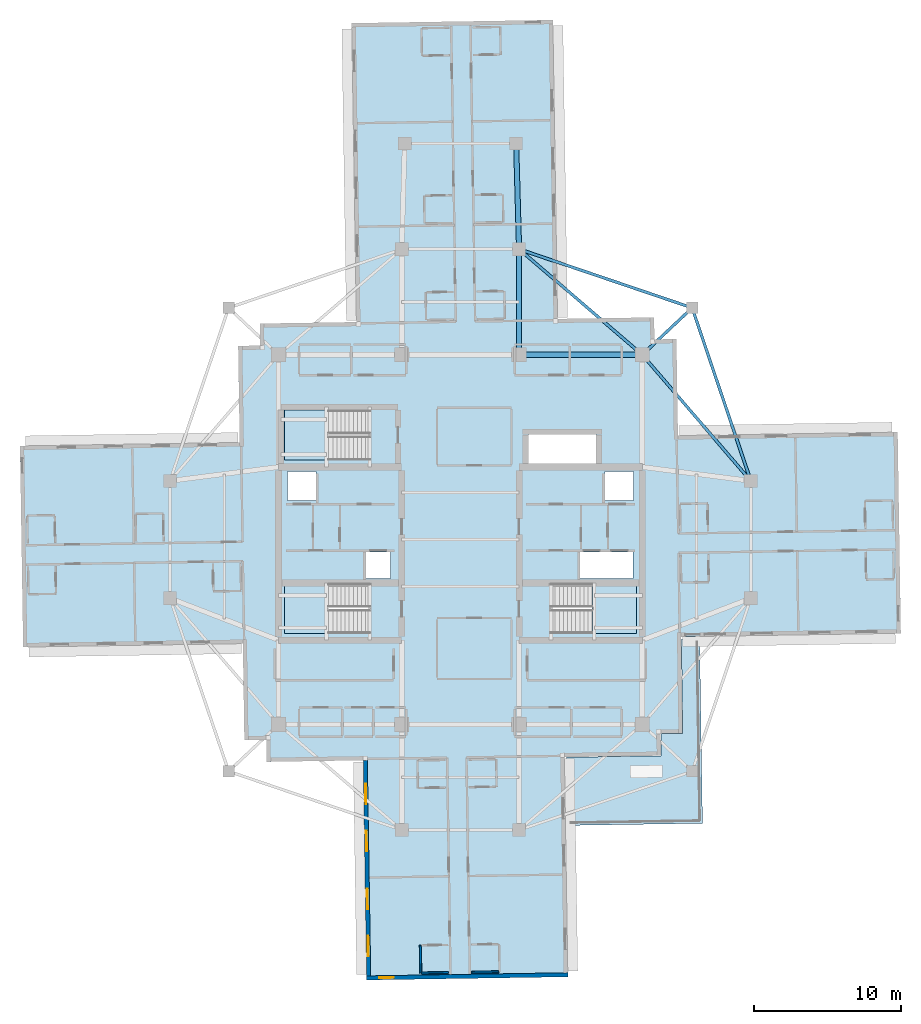
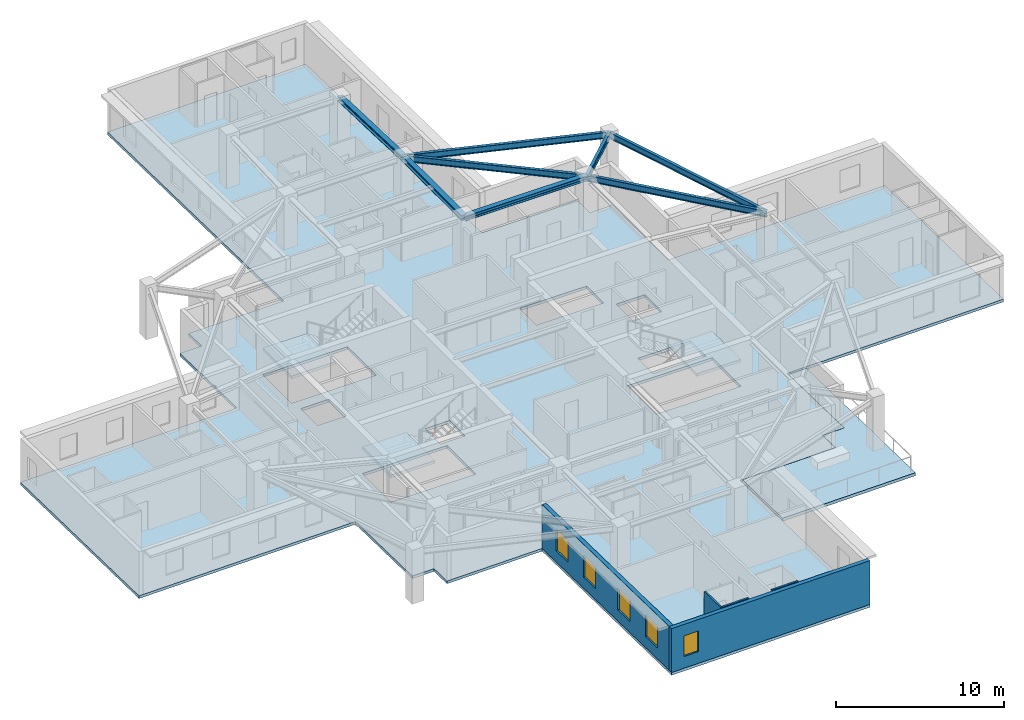
# One storey, part 2 of 13: 8 beams, 5 slabs, 5 walls, 5 windows, 5 openings, 3 elements without a shape of their own.
"""IFC4 building model written with IfcOpenShell, lengths in metres."""

from ifc_helpers import new_model, si_unit, direction, frame, frame_2d, origin, origin_2d, place, context, subcontext, project, spatial, polyline, rectangle, i_section, outline, extrude, material, layer, layer_set, material_profile, profile_set, type_object, element, fill, aggregate, save


model = new_model("IFC4")

# Units and contexts
model_context = context("Model", 3, precision=1e-05, world=origin(), true_north=direction((0.0, 1.0)))
body_context = subcontext(model_context, "Body", "Model", "MODEL_VIEW")
ifc_project = project(units=[si_unit("LENGTHUNIT", "METRE"), si_unit("AREAUNIT", "SQUARE_METRE"), si_unit("VOLUMEUNIT", "CUBIC_METRE"), si_unit("PLANEANGLEUNIT", "RADIAN"), si_unit("MASSUNIT", "GRAM", prefix="KILO")], contexts=[model_context])

# Site, building, storey
site_placement = place(None, origin())
site = spatial("IfcSite", under=ifc_project, at=site_placement, CompositionType="ELEMENT")
building_placement = place(site_placement, origin())
building = spatial("IfcBuilding", under=site, at=building_placement, Name="Qingluan Cross Belvedere", CompositionType="ELEMENT")
storey_placement = place(building_placement, frame((0.0, 0.0, 220.800048828125)))
storey = spatial("IfcBuildingStorey", under=building, at=storey_placement, Name="L55", CompositionType="ELEMENT", Elevation=220.800048828125)

# Beams
ifc_material_1 = material(Name="Steel Q420GJB", Category="steel")
ifc_material_profile_1 = material_profile(ifc_material_1, i_section(OverallWidth=0.199951171875, OverallDepth=0.449951171875, WebThickness=0.009033203125, FlangeThickness=0.013916015625, FilletRadius=0.01611328125, at=origin_2d()), Name="HN450x200x9x14")
ifc_profile_set_1 = profile_set([ifc_material_profile_1], Name="Steel Q420GJB")
beam_type_1 = type_object("IfcBeamType", Name="Steel_Beam_HN450x200x9x14", PredefinedType="JOIST", material=ifc_profile_set_1)
beam_1_placement = place(storey_placement, frame((12.39990234375, 12.60009765625, 3.474853515625), z_axis=(0.728219948308, 0.685343495546, 0.0), x_axis=(-0.685343495546, 0.728219948308, 0.0)))
element("IfcBeam", 1, at=beam_1_placement, inside=storey, type_object=beam_type_1, Name="Corner beam 1 L55-RNE", PredefinedType="JOIST", context=body_context, shape_type="SweptSolid", body=[
    extrude(i_section(OverallWidth=0.199951171875, OverallDepth=0.449951171875, WebThickness=0.009033203125, FlangeThickness=0.013916015625, FilletRadius=0.01611328125, at=origin_2d()), origin(), (0.0, 0.0, 1.0), 4.669189453125),
])
for number, where, z_axis, x_axis, name in (
    (2, (15.800048828125, 15.800048828125, 3.474853515625), (-0.947066283324, 0.321038089628, 0.0), (-0.321038089628, -0.947066283324, 0.0), "Corner beam 2 L55-RNE"),
    (3, (15.800048828125, 15.800048828125, 3.474853515625), (0.321038089628, -0.947066283324, 0.0), (0.947066283324, 0.321038089628, 0.0), "Corner beam 3 L55-RNE"),
):
    element("IfcBeam", number, at=place(storey_placement, frame(where, z_axis=z_axis, x_axis=x_axis)), inside=storey, type_object=beam_type_1, Name=name, PredefinedType="JOIST", context=body_context, shape_type="SweptSolid", body=[
        extrude(i_section(OverallWidth=0.199951171875, OverallDepth=0.449951171875, WebThickness=0.009033203125, FlangeThickness=0.013916015625, FilletRadius=0.01611328125, at=origin_2d()), origin(), (0.0, 0.0, 1.0), 12.45947265625),
    ])
beam_2_placement = place(storey_placement, frame((12.39990234375, 12.60009765625, 3.474853515625), z_axis=(0.652245077546, -0.75800815221, 0.0), x_axis=(0.75800815221, 0.652245077546, 0.0)))
element("IfcBeam", 4, at=beam_2_placement, inside=storey, type_object=beam_type_1, Name="Corner beam 4 L55-RNE", PredefinedType="JOIST", context=body_context, shape_type="SweptSolid", body=[
    extrude(i_section(OverallWidth=0.199951171875, OverallDepth=0.449951171875, WebThickness=0.009033203125, FlangeThickness=0.013916015625, FilletRadius=0.01611328125, at=origin_2d()), origin(), (0.0, 0.0, 1.0), 11.345703125),
])
beam_3_placement = place(storey_placement, frame((12.39990234375, 12.60009765625, 3.474853515625), z_axis=(-0.759255044656, 0.650793190779, 0.0), x_axis=(-0.650793190779, -0.759255044656, 0.0)))
element("IfcBeam", 5, at=beam_3_placement, inside=storey, type_object=beam_type_1, Name="Corner beam 5 L55-RNE", PredefinedType="JOIST", context=body_context, shape_type="SweptSolid", body=[
    extrude(i_section(OverallWidth=0.199951171875, OverallDepth=0.449951171875, WebThickness=0.009033203125, FlangeThickness=0.013916015625, FilletRadius=0.01611328125, at=origin_2d()), origin(), (0.0, 0.0, 1.0), 11.063232421875),
])
ifc_material_2 = material(Name="Steel Q420GJB", Category="steel")
ifc_material_profile_2 = material_profile(ifc_material_2, i_section(OverallWidth=0.35009765625, OverallDepth=0.35009765625, WebThickness=0.011962890625, FlangeThickness=0.01904296875, FilletRadius=0.02001953125, at=origin_2d()), Name="HW350x350x12x19")
ifc_profile_set_2 = profile_set([ifc_material_profile_2], Name="Steel Q420GJB")
beam_type_2 = type_object("IfcBeamType", Name="Steel_Girder_HW350x350x12x19", PredefinedType="USERDEFINED", material=ifc_profile_set_2)
beam_4_placement = place(storey_placement, frame((4.0, 12.60009765625, 3.52490234375), z_axis=(1.0, 0.0, 0.0), x_axis=(0.0, 1.0, 0.0)))
element("IfcBeam", 6, at=beam_4_placement, inside=storey, type_object=beam_type_2, Name="Hub girder L55-HG-N3", ObjectType="GIRDER", PredefinedType="USERDEFINED", context=body_context, shape_type="SweptSolid", body=[
    extrude(i_section(OverallWidth=0.35009765625, OverallDepth=0.35009765625, WebThickness=0.011962890625, FlangeThickness=0.01904296875, FilletRadius=0.02001953125, at=origin_2d()), origin(), (0.0, 0.0, 1.0), 8.39990234375),
])
beam_5_placement = place(storey_placement, frame((4.0, 12.60009765625, 3.52490234375), z_axis=(0.0, 1.0, 0.0), x_axis=(-1.0, 0.0, 0.0)))
element("IfcBeam", 7, at=beam_5_placement, inside=storey, type_object=beam_type_2, Name="Arm N radial girder B L55", ObjectType="GIRDER", PredefinedType="USERDEFINED", context=body_context, shape_type="SweptSolid", body=[
    extrude(i_section(OverallWidth=0.35009765625, OverallDepth=0.35009765625, WebThickness=0.011962890625, FlangeThickness=0.01904296875, FilletRadius=0.02001953125, at=origin_2d()), origin(), (0.0, 0.0, 1.0), 7.199951171875),
])
beam_6_placement = place(storey_placement, frame((4.0, 19.800048828125, 3.52490234375), z_axis=(-0.027760481514, 0.999614603568, 0.0), x_axis=(-0.999614603568, -0.027760481514, 0.0)))
element("IfcBeam", 8, at=beam_6_placement, inside=storey, type_object=beam_type_2, Name="Arm N outer radial girder B L55", ObjectType="GIRDER", PredefinedType="USERDEFINED", context=body_context, shape_type="SweptSolid", body=[
    extrude(i_section(OverallWidth=0.35009765625, OverallDepth=0.35009765625, WebThickness=0.011962890625, FlangeThickness=0.01904296875, FilletRadius=0.02001953125, at=origin_2d()), origin(), (0.0, 0.0, 1.0), 7.20263671875),
])

# Slab
ifc_material_3 = material(Name="Concrete C40", Category="concrete")
ifc_layer_1 = layer(ifc_material_3, 0.199951171875, Name="FloorSlab_200")
ifc_layer_set_1 = layer_set([ifc_layer_1], Name="Concrete C40")
slab_type_1 = type_object("IfcSlabType", Name="FloorSlab_200", PredefinedType="FLOOR", material=ifc_layer_set_1)
slab_1_placement = place(storey_placement, frame((0.0, 0.0, -0.199951171875)))
element("IfcSlab", 9, at=slab_1_placement, inside=storey, type_object=slab_type_1, Name="Structural floor slab L55", PredefinedType="FLOOR", context=body_context, shape_type="SweptSolid", body=[
    extrude(outline(polyline([(7.3291015625, -29.80859375), (7.09375, -14.830322265625), (13.673095703125, -14.72705078125), (13.6494140625, -13.227294921875), (15.1494140625, -13.20361328125), (15.0458984375, -6.62451171875), (30.024169921875, -6.38916015625), (29.80859375, 7.3291015625), (14.830322265625, 7.09375), (14.72705078125, 13.673095703125), (13.227294921875, 13.6494140625), (13.20361328125, 15.1494140625), (6.62451171875, 15.0458984375), (6.304443359375, 35.42333984375), (-7.413818359375, 35.2080078125), (-7.09375, 14.830322265625), (-13.673095703125, 14.72705078125), (-13.6494140625, 13.227294921875), (-15.1494140625, 13.20361328125), (-15.0458984375, 6.62451171875), (-30.024169921875, 6.38916015625), (-29.80859375, -7.3291015625), (-14.830322265625, -7.09375), (-14.72705078125, -13.673095703125), (-13.227294921875, -13.6494140625), (-13.20361328125, -15.1494140625), (-6.62451171875, -15.0458984375), (-6.38916015625, -30.024169921875), (7.3291015625, -29.80859375)]), holes=[polyline([(-12.0, -3.0), (-6.179931640625, -3.0), (-6.179931640625, -6.39990234375), (-12.0, -6.39990234375), (-12.0, -3.0)]), polyline([(6.179931640625, -3.0), (12.0, -3.0), (12.0, -6.39990234375), (6.179931640625, -6.39990234375), (6.179931640625, -3.0)]), polyline([(-12.0, 8.820068359375), (-6.179931640625, 8.820068359375), (-6.179931640625, 5.419921875), (-12.0, 5.419921875), (-12.0, 8.820068359375)]), polyline([(-11.800048828125, 4.64990234375), (-9.85009765625, 4.64990234375), (-9.85009765625, 2.64990234375), (-11.800048828125, 2.64990234375), (-11.800048828125, 4.64990234375)]), polyline([(9.85009765625, 4.64990234375), (11.800048828125, 4.64990234375), (11.800048828125, 2.64990234375), (9.85009765625, 2.64990234375), (9.85009765625, 4.64990234375)]), polyline([(-6.449951171875, -0.840087890625), (-4.75, -0.840087890625), (-4.75, -2.659912109375), (-6.449951171875, -2.659912109375), (-6.449951171875, -0.840087890625)]), polyline([(8.14990234375, -0.840087890625), (11.75, -0.840087890625), (11.75, -2.659912109375), (8.14990234375, -2.659912109375), (8.14990234375, -0.840087890625)]), polyline([(4.64990234375, 7.14990234375), (9.25, 7.14990234375), (9.25, 5.14990234375), (4.64990234375, 5.14990234375), (4.64990234375, 7.14990234375)])]), origin(), (0.0, 0.0, 1.0), 0.199951171875),
])

# Stair, slab
ifc_material_4 = material(Name="Concrete C40", Category="concrete")
stair_type = type_object("IfcStairType", Name="CoreDoglegStair_1620", PredefinedType="HALF_TURN_STAIR", material=ifc_material_4)
stair_1_placement = place(storey_placement, origin())
stair_1 = element("IfcStair", 10, at=stair_1_placement, inside=storey, type_object=stair_type, Name="L55 ST1", PredefinedType="HALF_TURN_STAIR")
ifc_material_5 = material(Name="Concrete C40", Category="concrete")
ifc_layer_2 = layer(ifc_material_5, 0.179931640625, Name="StairLandingSlab_180")
ifc_layer_set_2 = layer_set([ifc_layer_2], Name="Concrete C40")
slab_type_2 = type_object("IfcSlabType", Name="StairLandingSlab_180", PredefinedType="LANDING", material=ifc_layer_set_2)
slab_2_placement = place(storey_placement, frame((0.0, 0.0, 1.75)))
slab_2 = element("IfcSlab", 11, at=slab_2_placement, type_object=slab_type_2, Name="ST1 landing 1", PredefinedType="LANDING", context=body_context, shape_type="SweptSolid", body=[
    extrude(outline(polyline([(-8.97998046875, -3.0), (-12.0, -3.0), (-12.0, -6.39990234375), (-8.97998046875, -6.39990234375), (-8.97998046875, -3.0)])), origin(), (0.0, 0.0, 1.0), 0.199951171875),
])
aggregate(stair_1, [slab_2])

stair_2_placement = place(storey_placement, origin())
stair_2 = element("IfcStair", 12, at=stair_2_placement, inside=storey, type_object=stair_type, Name="L55 ST2", PredefinedType="HALF_TURN_STAIR")
slab_3_placement = place(storey_placement, frame((0.0, 0.0, 1.75)))
slab_3 = element("IfcSlab", 13, at=slab_3_placement, type_object=slab_type_2, Name="ST2 landing 1", PredefinedType="LANDING", context=body_context, shape_type="SweptSolid", body=[
    extrude(outline(polyline([(8.97998046875, -6.39990234375), (12.0, -6.39990234375), (12.0, -3.0), (8.97998046875, -3.0), (8.97998046875, -6.39990234375)])), origin(), (0.0, 0.0, 1.0), 0.199951171875),
])
aggregate(stair_2, [slab_3])

stair_3_placement = place(storey_placement, origin())
stair_3 = element("IfcStair", 14, at=stair_3_placement, inside=storey, type_object=stair_type, Name="L55 ST3", PredefinedType="HALF_TURN_STAIR")
slab_4_placement = place(storey_placement, frame((0.0, 0.0, 1.75)))
slab_4 = element("IfcSlab", 15, at=slab_4_placement, type_object=slab_type_2, Name="ST3 landing 1", PredefinedType="LANDING", context=body_context, shape_type="SweptSolid", body=[
    extrude(outline(polyline([(-8.97998046875, 8.820068359375), (-12.0, 8.820068359375), (-12.0, 5.419921875), (-8.97998046875, 5.419921875), (-8.97998046875, 8.820068359375)])), origin(), (0.0, 0.0, 1.0), 0.199951171875),
])
aggregate(stair_3, [slab_4])

# Slab
ifc_material_6 = material(Name="Concrete C40", Category="concrete")
ifc_layer_3 = layer(ifc_material_6, 0.219970703125, Name="TerraceSlab_220")
ifc_layer_set_3 = layer_set([ifc_layer_3], Name="Concrete C40")
slab_type_3 = type_object("IfcSlabType", Name="TerraceSlab_220", PredefinedType="FLOOR", material=ifc_layer_set_3)
slab_5_placement = place(storey_placement, frame((0.0, 0.0, -0.219970703125)))
element("IfcSlab", 16, at=slab_5_placement, inside=storey, type_object=slab_type_3, Name="Spiralling winter-garden terrace slab L55", PredefinedType="FLOOR", context=body_context, shape_type="SweptSolid", body=[
    extrude(outline(polyline([(15.05810546875, -6.764404296875), (15.15771484375, -13.208984375), (13.65966796875, -13.237060546875), (13.68310546875, -14.726806640625), (13.675048828125, -14.73681640625), (7.23388671875, -14.838134765625), (7.306884765625, -19.487548828125), (16.505859375, -19.343017578125), (16.30810546875, -6.74462890625), (15.05810546875, -6.764404296875)])), origin(), (0.0, 0.0, 1.0), 0.219970703125),
])

# Walls
ifc_material_7 = material(Name="Moisture-resistant gypsum board lining")
ifc_layer_4 = layer(ifc_material_7, 0.1201171875, Name="EnsuiteWetPartition_120")
ifc_layer_set_4 = layer_set([ifc_layer_4], Name="Moisture-resistant gypsum board lining")
wall_type_1 = type_object("IfcWallType", Name="EnsuiteWetPartition_120", PredefinedType="PARTITIONING", material=ifc_layer_set_4)
for number, where, z_axis, x_axis, name in (
    (17, (0.783203125, -29.4912109375, 0.0), (0.0, 0.0, 1.0), (0.999876836305, 0.015694337248, 0.0), "Partition L55:S:bw0_1"),
    (18, (-2.63623046875, -29.545166015625, 0.0), (0.0, 0.0, 1.0), (0.999876836305, 0.015694337248, 0.0), "Partition L55:S:bw1_1"),
):
    element("IfcWall", number, at=place(storey_placement, frame(where, z_axis=z_axis, x_axis=x_axis)), inside=storey, type_object=wall_type_1, Name=name, PredefinedType="PARTITIONING", context=body_context, shape_type="SweptSolid", body=[
        extrude(rectangle(XDim=1.820068359375, YDim=0.1201171875, at=frame_2d((0.91015625, 0.0))), origin(), (0.0, 0.0, 1.0), 3.169921875),
    ])
wall_1_placement = place(storey_placement, frame((-2.730712890625, -27.666259765625, 0.0), z_axis=(0.0, 0.0, 1.0), x_axis=(0.01571234584, -0.999876553475, 0.0)))
element("IfcWall", 19, at=wall_1_placement, inside=storey, type_object=wall_type_1, Name="Partition L55:S:bc1_1", PredefinedType="PARTITIONING", context=body_context, shape_type="SweptSolid", body=[
    extrude(rectangle(XDim=1.880126953125, YDim=0.1201171875, at=frame_2d((0.93994140625, 0.0))), origin(), (0.0, 0.0, 1.0), 3.169921875),
])

# Wall, openings, windows
ifc_material_8 = material(Name="Precast concrete C45", Category="concrete")
ifc_layer_5 = layer(ifc_material_8, 0.280029296875, Name="PrecastFacadeWall_280")
ifc_layer_set_5 = layer_set([ifc_layer_5], Name="Precast concrete C45")
wall_type_2 = type_object("IfcWallType", Name="PrecastFacadeWall_280", PredefinedType="STANDARD", material=ifc_layer_set_5)
wall_2_placement = place(storey_placement, frame((-6.484619140625, -15.043701171875, 0.0), z_axis=(0.0, 0.0, 1.0), x_axis=(0.015711302158, -0.999876569875, 0.0)))
wall_2 = element("IfcWall", 20, at=wall_2_placement, inside=storey, type_object=wall_type_2, Name="Facade wall L55-SA", PredefinedType="STANDARD", context=body_context, shape_type="SweptSolid", body=[
    extrude(rectangle(XDim=14.699951171875, YDim=0.280029296875, at=frame_2d((7.35009765625, 0.0))), origin(), (0.0, 0.0, 1.0), 3.179931640625),
])
opening_1_placement = place(wall_2_placement, frame((1.60009765625, 0.0, 0.800048828125)))
opening_1 = element("IfcOpeningElement", 21, at=opening_1_placement, cuts=wall_2, Name="Opening W-01", PredefinedType="OPENING", context=body_context, shape_type="SweptSolid", body=[
    extrude(rectangle(XDim=1.39990234375, YDim=1.60009765625, at=frame_2d((0.699951171875, 0.800048828125))), frame((0.0, 0.14990234375, 0.0), z_axis=(0.0, -1.0, 0.0), x_axis=(1.0, 0.0, 0.0)), (0.0, 0.0, 1.0), 0.300048828125),
])
opening_2_placement = place(wall_2_placement, frame((4.800048828125, 0.0, 0.800048828125)))
opening_2 = element("IfcOpeningElement", 22, at=opening_2_placement, cuts=wall_2, Name="Opening W-01", PredefinedType="OPENING", context=body_context, shape_type="SweptSolid", body=[
    extrude(rectangle(XDim=1.39990234375, YDim=1.60009765625, at=frame_2d((0.699951171875, 0.800048828125))), frame((0.0, 0.14990234375, 0.0), z_axis=(0.0, -1.0, 0.0), x_axis=(1.0, 0.0, 0.0)), (0.0, 0.0, 1.0), 0.300048828125),
])
opening_3_placement = place(wall_2_placement, frame((8.75, 0.0, 0.800048828125)))
opening_3 = element("IfcOpeningElement", 23, at=opening_3_placement, cuts=wall_2, Name="Opening W-01", PredefinedType="OPENING", context=body_context, shape_type="SweptSolid", body=[
    extrude(rectangle(XDim=1.39990234375, YDim=1.60009765625, at=frame_2d((0.699951171875, 0.800048828125))), frame((0.0, 0.14990234375, 0.0), z_axis=(0.0, -1.0, 0.0), x_axis=(1.0, 0.0, 0.0)), (0.0, 0.0, 1.0), 0.300048828125),
])
opening_4_placement = place(wall_2_placement, frame((11.949951171875, 0.0, 0.800048828125)))
opening_4 = element("IfcOpeningElement", 24, at=opening_4_placement, cuts=wall_2, Name="Opening W-01", PredefinedType="OPENING", context=body_context, shape_type="SweptSolid", body=[
    extrude(rectangle(XDim=1.39990234375, YDim=1.60009765625, at=frame_2d((0.699951171875, 0.800048828125))), frame((0.0, 0.14990234375, 0.0), z_axis=(0.0, -1.0, 0.0), x_axis=(1.0, 0.0, 0.0)), (0.0, 0.0, 1.0), 0.300048828125),
])
ifc_material_9 = material(Name="Thermally broken triple Low-E glass in aluminium frame", Category="aluminium")
window_type_1 = type_object("IfcWindowType", Name="TriRibbonWin_1400x1600", PartitioningType="SINGLE_PANEL", PredefinedType="WINDOW", material=ifc_material_9)
window_1_placement = place(opening_1_placement, origin())
window_1 = element("IfcWindow", 25, at=window_1_placement, inside=storey, type_object=window_type_1, Name="Ribbon window L55-SA-1", OverallHeight=1.60009765625, OverallWidth=1.39990234375, PartitioningType="SINGLE_PANEL", PredefinedType="WINDOW", context=body_context, shape_type="SweptSolid", body=[
    extrude(rectangle(XDim=1.39990234375, YDim=1.60009765625, at=frame_2d((0.699951171875, 0.800048828125))), frame((0.0, 0.030029296875, 0.0), z_axis=(0.0, -1.0, 0.0), x_axis=(1.0, 0.0, 0.0)), (0.0, 0.0, 1.0), 0.06005859375),
])
fill(opening_1, window_1)
window_2_placement = place(opening_2_placement, origin())
window_2 = element("IfcWindow", 26, at=window_2_placement, inside=storey, type_object=window_type_1, Name="Ribbon window L55-SA-2", OverallHeight=1.60009765625, OverallWidth=1.39990234375, PartitioningType="SINGLE_PANEL", PredefinedType="WINDOW", context=body_context, shape_type="SweptSolid", body=[
    extrude(rectangle(XDim=1.39990234375, YDim=1.60009765625, at=frame_2d((0.699951171875, 0.800048828125))), frame((0.0, 0.030029296875, 0.0), z_axis=(0.0, -1.0, 0.0), x_axis=(1.0, 0.0, 0.0)), (0.0, 0.0, 1.0), 0.06005859375),
])
fill(opening_2, window_2)
window_3_placement = place(opening_3_placement, origin())
window_3 = element("IfcWindow", 27, at=window_3_placement, inside=storey, type_object=window_type_1, Name="Ribbon window L55-SA-3", OverallHeight=1.60009765625, OverallWidth=1.39990234375, PartitioningType="SINGLE_PANEL", PredefinedType="WINDOW", context=body_context, shape_type="SweptSolid", body=[
    extrude(rectangle(XDim=1.39990234375, YDim=1.60009765625, at=frame_2d((0.699951171875, 0.800048828125))), frame((0.0, 0.030029296875, 0.0), z_axis=(0.0, -1.0, 0.0), x_axis=(1.0, 0.0, 0.0)), (0.0, 0.0, 1.0), 0.06005859375),
])
fill(opening_3, window_3)
window_4_placement = place(opening_4_placement, origin())
window_4 = element("IfcWindow", 28, at=window_4_placement, inside=storey, type_object=window_type_1, Name="Ribbon window L55-SA-4", OverallHeight=1.60009765625, OverallWidth=1.39990234375, PartitioningType="SINGLE_PANEL", PredefinedType="WINDOW", context=body_context, shape_type="SweptSolid", body=[
    extrude(rectangle(XDim=1.39990234375, YDim=1.60009765625, at=frame_2d((0.699951171875, 0.800048828125))), frame((0.0, 0.030029296875, 0.0), z_axis=(0.0, -1.0, 0.0), x_axis=(1.0, 0.0, 0.0)), (0.0, 0.0, 1.0), 0.06005859375),
])
fill(opening_4, window_4)

# Wall, opening, window
wall_3_placement = place(storey_placement, frame((-6.391357421875, -29.884033203125, 0.0), z_axis=(0.0, 0.0, 1.0), x_axis=(0.999876828887, 0.015694809807, 0.0)))
wall_3 = element("IfcWall", 29, at=wall_3_placement, inside=storey, type_object=wall_type_2, Name="Arm tip precast facade wall L55-S", PredefinedType="STANDARD", context=body_context, shape_type="SweptSolid", body=[
    extrude(rectangle(XDim=13.719970703125, YDim=0.280029296875, at=frame_2d((6.85986328125, 0.0))), origin(), (0.0, 0.0, 1.0), 3.179931640625),
])
opening_5_placement = place(wall_3_placement, frame((0.85009765625, 0.0, 0.85009765625)))
opening_5 = element("IfcOpeningElement", 30, at=opening_5_placement, cuts=wall_3, Name="Opening W-03", PredefinedType="OPENING", context=body_context, shape_type="SweptSolid", body=[
    extrude(rectangle(XDim=1.0, YDim=1.5, at=frame_2d((0.5, 0.75))), frame((0.0, 0.14990234375, 0.0), z_axis=(0.0, -1.0, 0.0), x_axis=(1.0, 0.0, 0.0)), (0.0, 0.0, 1.0), 0.300048828125),
])
ifc_material_10 = material(Name="Thermally broken triple Low-E glass in aluminium frame", Category="aluminium")
window_type_2 = type_object("IfcWindowType", Name="TriApexWin_1000x1500", PartitioningType="SINGLE_PANEL", PredefinedType="WINDOW", material=ifc_material_10)
window_5_placement = place(opening_5_placement, origin())
window_5 = element("IfcWindow", 31, at=window_5_placement, inside=storey, type_object=window_type_2, Name="Arm tip triangular window L55-S", OverallHeight=1.5, OverallWidth=1.0, PartitioningType="SINGLE_PANEL", PredefinedType="WINDOW", context=body_context, shape_type="SweptSolid", body=[
    extrude(rectangle(XDim=1.0, YDim=1.5, at=frame_2d((0.5, 0.75))), frame((0.0, 0.030029296875, 0.0), z_axis=(0.0, -1.0, 0.0), x_axis=(1.0, 0.0, 0.0)), (0.0, 0.0, 1.0), 0.06005859375),
])
fill(opening_5, window_5)

save(model, "model.ifc")
